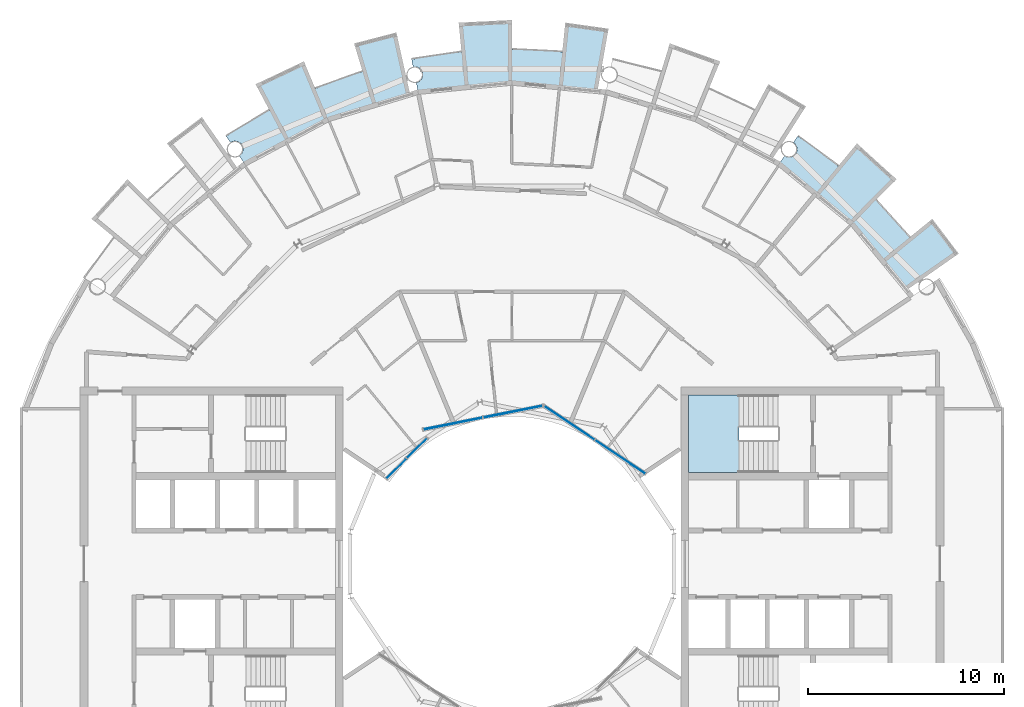
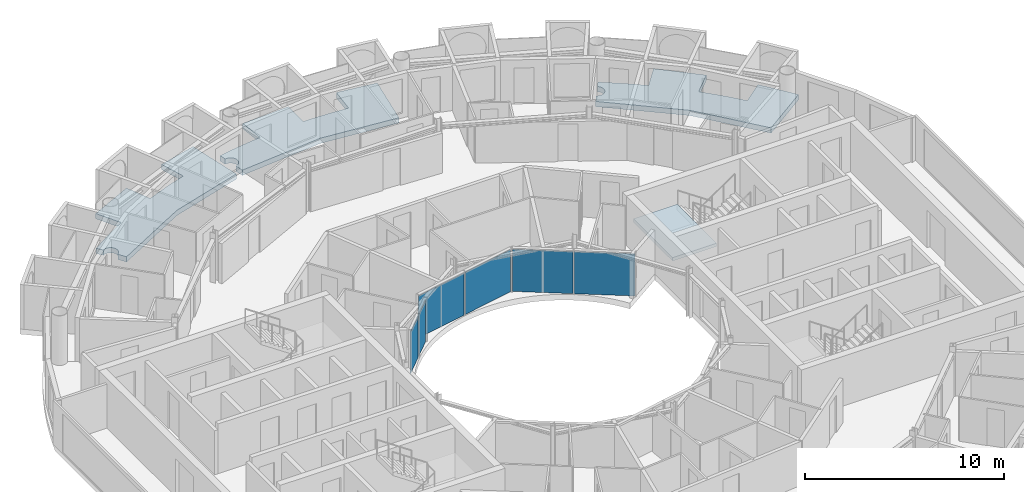
# One storey, part 12 of 27: 6 plates, 4 slabs, 4 elements without a shape of their own.
"""IFC4 building model written with IfcOpenShell, lengths in metres."""

from ifc_helpers import new_model, si_unit, direction, frame, origin, origin_2d, place, context, subcontext, project, spatial, polyline, rectangle, outline, extrude, material, layer, layer_set, type_object, element, aggregate, save


model = new_model("IFC4")

# Units and contexts
model_context = context("Model", 3, precision=1e-05, world=origin(), true_north=direction((0.0, 1.0)))
body_context = subcontext(model_context, "Body", "Model", "MODEL_VIEW")
ifc_project = project(units=[si_unit("LENGTHUNIT", "METRE"), si_unit("AREAUNIT", "SQUARE_METRE"), si_unit("VOLUMEUNIT", "CUBIC_METRE"), si_unit("PLANEANGLEUNIT", "RADIAN"), si_unit("MASSUNIT", "GRAM", prefix="KILO")], contexts=[model_context])

# Site, building, storey
site_placement = place(None, origin())
site = spatial("IfcSite", under=ifc_project, at=site_placement, CompositionType="ELEMENT")
building_placement = place(site_placement, origin())
building = spatial("IfcBuilding", under=site, at=building_placement, Name="Maasbend Ring Residences", CompositionType="ELEMENT")
storey_placement = place(building_placement, frame((0.0, 0.0, 240.14990234375)))
storey = spatial("IfcBuildingStorey", under=building, at=storey_placement, Name="L69", CompositionType="ELEMENT", Elevation=240.14990234375)

# Stair, slab
ifc_material_1 = material(Name="Concrete C40/50", Category="concrete")
stair_type = type_object("IfcStairType", Name="CORE STAIR 18 RISERS", PredefinedType="HALF_TURN_STAIR", material=ifc_material_1)
stair_placement = place(storey_placement, origin())
stair = element("IfcStair", 1, at=stair_placement, inside=storey, type_object=stair_type, Name="L69 Exit stair ST-E1", PredefinedType="HALF_TURN_STAIR")
ifc_material_2 = material(Name="Concrete C40/50", Category="concrete")
ifc_layer_1 = layer(ifc_material_2, 0.199951171875)
ifc_layer_set_1 = layer_set([ifc_layer_1], Name="Concrete C40/50")
slab_type_1 = type_object("IfcSlabType", Name="CORE STAIR LANDING 200", PredefinedType="LANDING", material=ifc_layer_set_1)
slab_1_placement = place(storey_placement, frame((0.0, 0.0, 1.3251953125)))
slab_1 = element("IfcSlab", 2, at=slab_1_placement, type_object=slab_type_1, Name="ST-E1 landing 1", PredefinedType="LANDING", context=body_context, shape_type="SweptSolid", body=[
    extrude(outline(polyline([(11.550048828125, 8.60009765625), (9.0, 8.60009765625), (9.0, 4.64990234375), (11.550048828125, 4.64990234375), (11.550048828125, 8.60009765625)])), origin(), (0.0, 0.0, 1.0), 0.199951171875),
])
aggregate(stair, [slab_1])

# Curtain wall, plates
ifc_material_3 = material(Name="Aluminium and clear glass", Category="aluminium")
ifc_layer_2 = layer(ifc_material_3, 0.179931640625)
ifc_layer_set_2 = layer_set([ifc_layer_2], Name="CW-W")
curtain_wall_type = type_object("IfcCurtainWallType", Name="CW-W", PredefinedType="NOTDEFINED", material=ifc_layer_set_2)
curtain_wall_1_placement = place(storey_placement, origin())
curtain_wall_1 = element("IfcCurtainWall", 3, at=curtain_wall_1_placement, inside=storey, type_object=curtain_wall_type, Name="Well curtain wall N1", PredefinedType="NOTDEFINED")
ifc_material_4 = material(Name="Glass clear laminated", Category="glass")
ifc_layer_3 = layer(ifc_material_4, 0.031982421875)
ifc_layer_set_3 = layer_set([ifc_layer_3], Name="CWP-W")
plate_type = type_object("IfcPlateType", Name="CWP-W", PredefinedType="CURTAIN_PANEL", material=ifc_layer_set_3)
plate_1_placement = place(storey_placement, frame((5.51123046875, 5.44580078125, 0.0), z_axis=(0.0, 0.0, 1.0), x_axis=(-0.831469612303, 0.55557023302, 0.0)))
plate_1 = element("IfcPlate", 4, at=plate_1_placement, type_object=plate_type, Name="Glass panel well face", PredefinedType="CURTAIN_PANEL", context=body_context, shape_type="SweptSolid", body=[
    extrude(rectangle(XDim=3.053955078125, YDim=0.031982421875, at=origin_2d()), origin(), (0.0, 0.0, 1.0), 2.580078125),
])
plate_2_placement = place(storey_placement, frame((2.922119140625, 7.17578125, 0.0), z_axis=(0.0, 0.0, 1.0), x_axis=(-0.831469612303, 0.55557023302, 0.0)))
plate_2 = element("IfcPlate", 5, at=plate_2_placement, type_object=plate_type, Name="Glass panel well face", PredefinedType="CURTAIN_PANEL", context=body_context, shape_type="SweptSolid", body=[
    extrude(rectangle(XDim=3.053955078125, YDim=0.031982421875, at=origin_2d()), origin(), (0.0, 0.0, 1.0), 2.580078125),
])
aggregate(curtain_wall_1, [plate_1, plate_2])

curtain_wall_2_placement = place(storey_placement, origin())
curtain_wall_2 = element("IfcCurtainWall", 6, at=curtain_wall_2_placement, inside=storey, type_object=curtain_wall_type, Name="Well curtain wall N2", PredefinedType="NOTDEFINED")
plate_3_placement = place(storey_placement, frame((0.04638671875, 7.747802734375, 0.0), z_axis=(0.0, 0.0, 1.0), x_axis=(-0.980785280403, -0.195090322016, 0.0)))
plate_3 = element("IfcPlate", 7, at=plate_3_placement, type_object=plate_type, Name="Glass panel well face", PredefinedType="CURTAIN_PANEL", context=body_context, shape_type="SweptSolid", body=[
    extrude(rectangle(XDim=3.053955078125, YDim=0.031982421875, at=origin_2d()), origin(), (0.0, 0.0, 1.0), 2.580078125),
])
plate_4_placement = place(storey_placement, frame((-3.0078125, 7.140380859375, 0.0), z_axis=(0.0, 0.0, 1.0), x_axis=(-0.980785280403, -0.195090322016, 0.0)))
plate_4 = element("IfcPlate", 8, at=plate_4_placement, type_object=plate_type, Name="Glass panel well face", PredefinedType="CURTAIN_PANEL", context=body_context, shape_type="SweptSolid", body=[
    extrude(rectangle(XDim=3.053955078125, YDim=0.031982421875, at=origin_2d()), origin(), (0.0, 0.0, 1.0), 2.580078125),
])
aggregate(curtain_wall_2, [plate_3, plate_4])

curtain_wall_3_placement = place(storey_placement, origin())
curtain_wall_3 = element("IfcCurtainWall", 9, at=curtain_wall_3_placement, inside=storey, type_object=curtain_wall_type, Name="Well curtain wall N3", PredefinedType="NOTDEFINED")
plate_5_placement = place(storey_placement, frame((-4.84375, 5.89013671875, 0.0), z_axis=(0.0, 0.0, 1.0), x_axis=(-0.707106781187, -0.707106781187, 0.0)))
plate_5 = element("IfcPlate", 10, at=plate_5_placement, type_object=plate_type, Name="Glass panel well face", PredefinedType="CURTAIN_PANEL", context=body_context, shape_type="SweptSolid", body=[
    extrude(rectangle(XDim=1.419677734375, YDim=0.031982421875, at=origin_2d()), origin(), (0.0, 0.0, 1.0), 2.580078125),
])
plate_6_placement = place(storey_placement, frame((-5.89013671875, 4.84375, 0.0), z_axis=(0.0, 0.0, 1.0), x_axis=(-0.707106781187, -0.707106781187, 0.0)))
plate_6 = element("IfcPlate", 11, at=plate_6_placement, type_object=plate_type, Name="Glass panel well face", PredefinedType="CURTAIN_PANEL", context=body_context, shape_type="SweptSolid", body=[
    extrude(rectangle(XDim=1.419677734375, YDim=0.031982421875, at=origin_2d()), origin(), (0.0, 0.0, 1.0), 2.580078125),
])
aggregate(curtain_wall_3, [plate_5, plate_6])

# Slabs
ifc_material_5 = material(Name="Concrete C40/50", Category="concrete")
ifc_layer_4 = layer(ifc_material_5, 0.199951171875)
ifc_layer_set_4 = layer_set([ifc_layer_4], Name="Concrete C40/50")
slab_type_2 = type_object("IfcSlabType", Name="SL-LOGGIA", PredefinedType="FLOOR", material=ifc_layer_set_4)
slab_2_placement = place(storey_placement, frame((0.0, 0.0, -0.349853515625)))
element("IfcSlab", 12, at=slab_2_placement, inside=storey, type_object=slab_type_2, Name="Loggia floor 1", PredefinedType="FLOOR", context=body_context, shape_type="SweptSolid", body=[
    extrude(outline(polyline([(-13.10009765625, 22.68994140625), (-12.35107421875, 23.10595703125), (-12.35107421875, 23.10595703125), (-12.35107421875, 23.10595703125), (-12.35107421875, 23.10595703125), (-12.35107421875, 23.10595703125), (-12.35107421875, 23.10595703125), (-12.35107421875, 23.10595703125), (-12.35107421875, 23.10595703125), (-12.35107421875, 23.10595703125), (-12.35107421875, 23.10595703125), (-12.35107421875, 23.10595703125), (-12.35107421875, 23.10693359375), (-12.35107421875, 23.10693359375), (-12.35107421875, 23.10693359375), (-12.35107421875, 23.10693359375), (-12.35107421875, 23.10693359375), (-12.35107421875, 23.10693359375), (-13.05810546875, 24.428955078125), (-13.05810546875, 24.428955078125), (-13.05810546875, 24.428955078125), (-10.60009765625, 25.591064453125), (-10.60009765625, 25.591064453125), (-10.60009765625, 25.591064453125), (-10.02587890625, 24.2060546875), (-10.02587890625, 24.2060546875), (-10.02587890625, 24.2060546875), (-10.02587890625, 24.2060546875), (-10.02587890625, 24.2060546875), (-10.02587890625, 24.2060546875), (-10.02587890625, 24.2060546875), (-10.02587890625, 24.2060546875), (-10.02587890625, 24.2060546875), (-10.02587890625, 24.2060546875), (-10.02587890625, 24.2060546875), (-10.02587890625, 24.2060546875), (-10.02587890625, 24.2060546875), (-10.02587890625, 24.2060546875), (-10.02587890625, 24.2060546875), (-10.02587890625, 24.2060546875), (-10.02587890625, 24.2060546875), (-9.22900390625, 24.52099609375), (-9.22900390625, 24.52099609375), (-8.422119140625, 24.81005859375), (-8.422119140625, 24.81005859375), (-7.60595703125, 25.072021484375), (-7.60595703125, 25.072021484375), (-7.60595703125, 25.072021484375), (-7.60595703125, 25.072021484375), (-7.60595703125, 25.072021484375), (-7.60595703125, 25.072021484375), (-7.60595703125, 25.072021484375), (-7.60595703125, 25.072021484375), (-7.60595703125, 25.072021484375), (-7.60595703125, 25.072021484375), (-7.60595703125, 25.072021484375), (-7.60595703125, 25.072021484375), (-7.60595703125, 25.072021484375), (-7.60595703125, 25.072021484375), (-7.60595703125, 25.072021484375), (-7.60595703125, 25.072021484375), (-7.60595703125, 25.072021484375), (-8.041015625, 26.507080078125), (-8.041015625, 26.507080078125), (-8.041015625, 26.507080078125), (-5.89111328125, 27.06591796875), (-5.89111328125, 27.06591796875), (-5.89111328125, 27.06591796875), (-5.201904296875, 23.90087890625), (-5.201904296875, 23.90087890625), (-5.201904296875, 23.90087890625), (-7.077880859375, 23.33203125), (-9.3759765625, 22.635009765625), (-9.3759765625, 22.635009765625), (-9.3759765625, 22.635009765625), (-11.493896484375, 21.5029296875), (-13.611083984375, 20.37109375), (-13.611083984375, 20.37109375), (-13.611083984375, 20.37109375), (-13.885986328125, 20.781005859375), (-13.876953125, 20.787109375), (-13.868896484375, 20.79296875), (-13.861083984375, 20.799072265625), (-13.85400390625, 20.804931640625), (-13.845947265625, 20.81103515625), (-13.839111328125, 20.818115234375), (-13.8310546875, 20.824951171875), (-13.823974609375, 20.83203125), (-13.81689453125, 20.839111328125), (-13.81005859375, 20.845947265625), (-13.803955078125, 20.85400390625), (-13.797119140625, 20.861083984375), (-13.791015625, 20.868896484375), (-13.784912109375, 20.876953125), (-13.779052734375, 20.885009765625), (-13.77392578125, 20.89306640625), (-13.76806640625, 20.902099609375), (-13.762939453125, 20.909912109375), (-13.758056640625, 20.9189453125), (-13.7529296875, 20.927978515625), (-13.748046875, 20.93701171875), (-13.743896484375, 20.945068359375), (-13.739990234375, 20.955078125), (-13.736083984375, 20.964111328125), (-13.73193359375, 20.972900390625), (-13.72900390625, 20.98193359375), (-13.72607421875, 20.991943359375), (-13.722900390625, 21.0009765625), (-13.719970703125, 21.010986328125), (-13.717041015625, 21.02099609375), (-13.715087890625, 21.030029296875), (-13.712890625, 21.0400390625), (-13.7109375, 21.050048828125), (-13.708984375, 21.06005859375), (-13.7080078125, 21.070068359375), (-13.70703125, 21.0791015625), (-13.7060546875, 21.089111328125), (-13.705078125, 21.09912109375), (-13.705078125, 21.10888671875), (-13.705078125, 21.118896484375), (-13.705078125, 21.12890625), (-13.705078125, 21.138916015625), (-13.7060546875, 21.14892578125), (-13.70703125, 21.158935546875), (-13.7080078125, 21.1689453125), (-13.708984375, 21.178955078125), (-13.7109375, 21.18896484375), (-13.712890625, 21.198974609375), (-13.715087890625, 21.2080078125), (-13.717041015625, 21.218017578125), (-13.719970703125, 21.22802734375), (-13.722900390625, 21.237060546875), (-13.72607421875, 21.2470703125), (-13.72900390625, 21.256103515625), (-13.73193359375, 21.26611328125), (-13.736083984375, 21.27490234375), (-13.739990234375, 21.283935546875), (-13.743896484375, 21.29296875), (-13.748046875, 21.302001953125), (-13.7529296875, 21.31103515625), (-13.758056640625, 21.320068359375), (-13.762939453125, 21.327880859375), (-13.76806640625, 21.3369140625), (-13.77392578125, 21.344970703125), (-13.779052734375, 21.35302734375), (-13.784912109375, 21.361083984375), (-13.791015625, 21.368896484375), (-13.797119140625, 21.376953125), (-13.803955078125, 21.385009765625), (-13.81005859375, 21.39208984375), (-13.81689453125, 21.39990234375), (-13.823974609375, 21.406982421875), (-13.8310546875, 21.4140625), (-13.839111328125, 21.419921875), (-13.845947265625, 21.427001953125), (-13.85400390625, 21.43408203125), (-13.861083984375, 21.43994140625), (-13.868896484375, 21.446044921875), (-13.876953125, 21.451904296875), (-13.885986328125, 21.45703125), (-13.89404296875, 21.462890625), (-13.903076171875, 21.468017578125), (-13.910888671875, 21.472900390625), (-13.919921875, 21.47802734375), (-13.928955078125, 21.48193359375), (-13.93798828125, 21.487060546875), (-13.947021484375, 21.490966796875), (-13.9560546875, 21.4951171875), (-13.965087890625, 21.4990234375), (-13.97509765625, 21.501953125), (-13.98388671875, 21.5048828125), (-13.992919921875, 21.508056640625), (-14.0029296875, 21.510986328125), (-14.012939453125, 21.513916015625), (-14.02197265625, 21.51611328125), (-14.031982421875, 21.51806640625), (-14.0419921875, 21.52001953125), (-14.052001953125, 21.52099609375), (-14.06201171875, 21.52294921875), (-14.072021484375, 21.52392578125), (-14.08203125, 21.52490234375), (-14.092041015625, 21.52490234375), (-14.10205078125, 21.52587890625), (-14.111083984375, 21.52587890625), (-14.12109375, 21.52587890625), (-14.131103515625, 21.52490234375), (-14.14111328125, 21.52490234375), (-14.15087890625, 21.52392578125), (-14.160888671875, 21.52294921875), (-14.1708984375, 21.52099609375), (-14.180908203125, 21.52001953125), (-14.19091796875, 21.51806640625), (-14.200927734375, 21.51611328125), (-14.2099609375, 21.513916015625), (-14.219970703125, 21.510986328125), (-14.22998046875, 21.508056640625), (-14.239013671875, 21.5048828125), (-14.248046875, 21.501953125), (-14.258056640625, 21.4990234375), (-14.26708984375, 21.4951171875), (-14.27587890625, 21.490966796875), (-14.284912109375, 21.487060546875), (-14.2939453125, 21.48193359375), (-14.302978515625, 21.47802734375), (-14.31201171875, 21.472900390625), (-14.320068359375, 21.468017578125), (-14.3291015625, 21.462890625), (-14.3369140625, 21.45703125), (-14.555908203125, 21.783935546875), (-14.555908203125, 21.784912109375), (-14.555908203125, 21.784912109375), (-13.8349609375, 22.2490234375), (-13.8349609375, 22.2490234375), (-13.10009765625, 22.68994140625), (-13.10009765625, 22.68994140625)])), origin(), (0.0, 0.0, 1.0), 0.320068359375),
])
slab_3_placement = place(storey_placement, frame((0.0, 0.0, -0.349853515625)))
element("IfcSlab", 13, at=slab_3_placement, inside=storey, type_object=slab_type_2, Name="Loggia floor 2", PredefinedType="FLOOR", context=body_context, shape_type="SweptSolid", body=[
    extrude(outline(polyline([(-3.419921875, 25.97607421875), (-2.569091796875, 26.073974609375), (-2.568115234375, 26.073974609375), (-2.568115234375, 26.073974609375), (-2.568115234375, 26.073974609375), (-2.568115234375, 26.073974609375), (-2.568115234375, 26.073974609375), (-2.568115234375, 26.073974609375), (-2.568115234375, 26.073974609375), (-2.568115234375, 26.073974609375), (-2.568115234375, 26.073974609375), (-2.568115234375, 26.073974609375), (-2.568115234375, 26.073974609375), (-2.568115234375, 26.073974609375), (-2.568115234375, 26.073974609375), (-2.568115234375, 26.073974609375), (-2.568115234375, 26.073974609375), (-2.568115234375, 26.073974609375), (-2.715087890625, 27.56689453125), (-2.715087890625, 27.56689453125), (-2.715087890625, 27.56689453125), (0.0, 27.699951171875), (0.0, 27.699951171875), (0.0, 27.699951171875), (0.0, 26.199951171875), (0.0, 26.199951171875), (0.0, 26.199951171875), (0.0, 26.199951171875), (0.0, 26.199951171875), (0.0, 26.199951171875), (0.0, 26.199951171875), (0.0, 26.199951171875), (0.0, 26.199951171875), (0.0, 26.199951171875), (0.0, 26.199951171875), (0.0, 26.199951171875), (0.0, 26.199951171875), (0.0, 26.199951171875), (0.0, 26.199951171875), (0.0, 26.199951171875), (0.0, 26.199951171875), (0.85693359375, 26.18603515625), (0.85693359375, 26.18603515625), (1.714111328125, 26.14404296875), (1.714111328125, 26.14404296875), (2.568115234375, 26.073974609375), (2.568115234375, 26.073974609375), (2.568115234375, 26.073974609375), (2.568115234375, 26.073974609375), (2.568115234375, 26.073974609375), (2.568115234375, 26.073974609375), (2.568115234375, 26.073974609375), (2.568115234375, 26.073974609375), (2.568115234375, 26.073974609375), (2.568115234375, 26.073974609375), (2.568115234375, 26.073974609375), (2.568115234375, 26.073974609375), (2.568115234375, 26.073974609375), (2.568115234375, 26.073974609375), (2.568115234375, 26.073974609375), (2.568115234375, 26.073974609375), (2.568115234375, 26.073974609375), (2.715087890625, 27.56689453125), (2.715087890625, 27.56689453125), (2.715087890625, 27.56689453125), (4.9150390625, 27.260009765625), (4.9150390625, 27.260009765625), (4.9150390625, 27.260009765625), (4.340087890625, 24.072998046875), (4.340087890625, 24.072998046875), (4.340087890625, 24.072998046875), (2.389892578125, 24.264892578125), (0.0, 24.5), (0.0, 24.5), (0.0, 24.5), (-2.389892578125, 24.264892578125), (-4.780029296875, 24.029052734375), (-4.780029296875, 24.029052734375), (-4.780029296875, 24.029052734375), (-4.8759765625, 24.512939453125), (-4.865966796875, 24.514892578125), (-4.85693359375, 24.51806640625), (-4.846923828125, 24.52001953125), (-4.8369140625, 24.52294921875), (-4.827880859375, 24.52587890625), (-4.818115234375, 24.529052734375), (-4.80908203125, 24.532958984375), (-4.800048828125, 24.535888671875), (-4.791015625, 24.5400390625), (-4.781005859375, 24.5439453125), (-4.77294921875, 24.549072265625), (-4.763916015625, 24.552978515625), (-4.7548828125, 24.55810546875), (-4.74609375, 24.56298828125), (-4.738037109375, 24.568115234375), (-4.72900390625, 24.573974609375), (-4.720947265625, 24.580078125), (-4.712890625, 24.5849609375), (-4.705078125, 24.591064453125), (-4.697021484375, 24.597900390625), (-4.68994140625, 24.60400390625), (-4.681884765625, 24.611083984375), (-4.675048828125, 24.616943359375), (-4.66796875, 24.6240234375), (-4.660888671875, 24.632080078125), (-4.654052734375, 24.638916015625), (-4.64697265625, 24.64599609375), (-4.64111328125, 24.654052734375), (-4.635009765625, 24.662109375), (-4.62890625, 24.669921875), (-4.623046875, 24.677978515625), (-4.616943359375, 24.68603515625), (-4.612060546875, 24.694091796875), (-4.60693359375, 24.702880859375), (-4.60205078125, 24.7119140625), (-4.596923828125, 24.719970703125), (-4.592041015625, 24.72900390625), (-4.587890625, 24.738037109375), (-4.583984375, 24.7470703125), (-4.580078125, 24.756103515625), (-4.575927734375, 24.76611328125), (-4.572998046875, 24.77490234375), (-4.569091796875, 24.783935546875), (-4.56591796875, 24.7939453125), (-4.56396484375, 24.802978515625), (-4.56103515625, 24.81298828125), (-4.55908203125, 24.822998046875), (-4.556884765625, 24.8330078125), (-4.554931640625, 24.842041015625), (-4.552978515625, 24.85205078125), (-4.552001953125, 24.862060546875), (-4.551025390625, 24.8720703125), (-4.550048828125, 24.882080078125), (-4.549072265625, 24.89208984375), (-4.549072265625, 24.902099609375), (-4.549072265625, 24.912109375), (-4.549072265625, 24.922119140625), (-4.549072265625, 24.931884765625), (-4.550048828125, 24.94189453125), (-4.551025390625, 24.951904296875), (-4.552001953125, 24.9619140625), (-4.552978515625, 24.971923828125), (-4.554931640625, 24.98095703125), (-4.556884765625, 24.990966796875), (-4.55908203125, 25.0009765625), (-4.56103515625, 25.010986328125), (-4.56396484375, 25.02001953125), (-4.56591796875, 25.030029296875), (-4.569091796875, 25.0390625), (-4.572998046875, 25.049072265625), (-4.575927734375, 25.05810546875), (-4.580078125, 25.06689453125), (-4.583984375, 25.076904296875), (-4.587890625, 25.0859375), (-4.592041015625, 25.094970703125), (-4.596923828125, 25.10400390625), (-4.60205078125, 25.112060546875), (-4.60693359375, 25.12109375), (-4.612060546875, 25.12890625), (-4.616943359375, 25.137939453125), (-4.623046875, 25.14599609375), (-4.62890625, 25.154052734375), (-4.635009765625, 25.162109375), (-4.64111328125, 25.169921875), (-4.64697265625, 25.177001953125), (-4.654052734375, 25.18505859375), (-4.660888671875, 25.19189453125), (-4.66796875, 25.198974609375), (-4.675048828125, 25.2060546875), (-4.681884765625, 25.212890625), (-4.68994140625, 25.219970703125), (-4.697021484375, 25.22607421875), (-4.705078125, 25.23193359375), (-4.712890625, 25.238037109375), (-4.720947265625, 25.243896484375), (-4.72900390625, 25.25), (-4.738037109375, 25.2548828125), (-4.74609375, 25.260986328125), (-4.7548828125, 25.26611328125), (-4.763916015625, 25.27001953125), (-4.77294921875, 25.27490234375), (-4.781005859375, 25.279052734375), (-4.791015625, 25.283935546875), (-4.800048828125, 25.287109375), (-4.80908203125, 25.291015625), (-4.818115234375, 25.294921875), (-4.827880859375, 25.298095703125), (-4.8369140625, 25.301025390625), (-4.846923828125, 25.303955078125), (-4.85693359375, 25.305908203125), (-4.865966796875, 25.30908203125), (-4.8759765625, 25.31103515625), (-4.885986328125, 25.31201171875), (-4.89599609375, 25.31396484375), (-4.906005859375, 25.31494140625), (-4.9150390625, 25.31591796875), (-4.925048828125, 25.31689453125), (-4.93505859375, 25.318115234375), (-4.945068359375, 25.318115234375), (-4.955078125, 25.318115234375), (-4.965087890625, 25.318115234375), (-4.97509765625, 25.318115234375), (-4.985107421875, 25.31689453125), (-4.9951171875, 25.31591796875), (-5.0048828125, 25.31494140625), (-5.014892578125, 25.31396484375), (-5.02490234375, 25.31201171875), (-5.034912109375, 25.31103515625), (-5.111083984375, 25.697021484375), (-5.111083984375, 25.697021484375), (-5.111083984375, 25.697021484375), (-4.26806640625, 25.85009765625), (-4.26806640625, 25.85009765625), (-3.419921875, 25.97607421875), (-3.419921875, 25.97607421875)])), origin(), (0.0, 0.0, 1.0), 0.320068359375),
])
slab_4_placement = place(storey_placement, frame((0.0, 0.0, -0.349853515625)))
element("IfcSlab", 14, at=slab_4_placement, inside=storey, type_object=slab_type_2, Name="Loggia floor 4", PredefinedType="FLOOR", context=body_context, shape_type="SweptSolid", body=[
    extrude(outline(polyline([(13.885986328125, 20.781005859375), (13.89404296875, 20.77587890625), (13.903076171875, 20.77099609375), (13.910888671875, 20.76611328125), (13.919921875, 20.760986328125), (13.928955078125, 20.756103515625), (13.93798828125, 20.751953125), (13.947021484375, 20.748046875), (13.9560546875, 20.743896484375), (13.965087890625, 20.739990234375), (13.97509765625, 20.737060546875), (13.98388671875, 20.73291015625), (13.992919921875, 20.72998046875), (14.0029296875, 20.72802734375), (14.012939453125, 20.72509765625), (14.02197265625, 20.722900390625), (14.031982421875, 20.720947265625), (14.0419921875, 20.718994140625), (14.052001953125, 20.717041015625), (14.06201171875, 20.716064453125), (14.072021484375, 20.715087890625), (14.08203125, 20.714111328125), (14.092041015625, 20.712890625), (14.10205078125, 20.712890625), (14.111083984375, 20.712890625), (14.12109375, 20.712890625), (14.131103515625, 20.712890625), (14.14111328125, 20.714111328125), (14.15087890625, 20.715087890625), (14.160888671875, 20.716064453125), (14.1708984375, 20.717041015625), (14.180908203125, 20.718994140625), (14.19091796875, 20.720947265625), (14.200927734375, 20.722900390625), (14.2099609375, 20.72509765625), (14.219970703125, 20.72802734375), (14.22998046875, 20.72998046875), (14.239013671875, 20.73291015625), (14.248046875, 20.737060546875), (14.258056640625, 20.739990234375), (14.26708984375, 20.743896484375), (14.27587890625, 20.748046875), (14.284912109375, 20.751953125), (14.2939453125, 20.756103515625), (14.302978515625, 20.760986328125), (14.31201171875, 20.76611328125), (14.320068359375, 20.77099609375), (14.3291015625, 20.77587890625), (14.3369140625, 20.781005859375), (14.345947265625, 20.787109375), (14.35400390625, 20.79296875), (14.362060546875, 20.799072265625), (14.368896484375, 20.804931640625), (14.376953125, 20.81103515625), (14.384033203125, 20.818115234375), (14.39208984375, 20.824951171875), (14.39892578125, 20.83203125), (14.406005859375, 20.839111328125), (14.4130859375, 20.845947265625), (14.4189453125, 20.85400390625), (14.426025390625, 20.861083984375), (14.431884765625, 20.868896484375), (14.43798828125, 20.876953125), (14.444091796875, 20.885009765625), (14.448974609375, 20.89306640625), (14.455078125, 20.902099609375), (14.4599609375, 20.909912109375), (14.465087890625, 20.9189453125), (14.469970703125, 20.927978515625), (14.47509765625, 20.93701171875), (14.47900390625, 20.945068359375), (14.48291015625, 20.955078125), (14.487060546875, 20.964111328125), (14.490966796875, 20.972900390625), (14.493896484375, 20.98193359375), (14.4970703125, 20.991943359375), (14.5, 21.0009765625), (14.5029296875, 21.010986328125), (14.506103515625, 21.02099609375), (14.508056640625, 21.030029296875), (14.510009765625, 21.0400390625), (14.511962890625, 21.050048828125), (14.513916015625, 21.06005859375), (14.514892578125, 21.070068359375), (14.51611328125, 21.0791015625), (14.51708984375, 21.089111328125), (14.51806640625, 21.09912109375), (14.51806640625, 21.10888671875), (14.51806640625, 21.118896484375), (14.51806640625, 21.12890625), (14.51806640625, 21.138916015625), (14.51708984375, 21.14892578125), (14.51611328125, 21.158935546875), (14.514892578125, 21.1689453125), (14.513916015625, 21.178955078125), (14.511962890625, 21.18896484375), (14.510009765625, 21.198974609375), (14.508056640625, 21.2080078125), (14.506103515625, 21.218017578125), (14.5029296875, 21.22802734375), (14.5, 21.237060546875), (14.4970703125, 21.2470703125), (14.493896484375, 21.256103515625), (14.490966796875, 21.26611328125), (14.487060546875, 21.27490234375), (14.48291015625, 21.283935546875), (14.47900390625, 21.29296875), (14.47509765625, 21.302001953125), (14.469970703125, 21.31103515625), (14.465087890625, 21.320068359375), (14.4599609375, 21.327880859375), (14.455078125, 21.3369140625), (14.448974609375, 21.344970703125), (14.444091796875, 21.35302734375), (14.43798828125, 21.361083984375), (14.431884765625, 21.368896484375), (14.426025390625, 21.376953125), (14.4189453125, 21.385009765625), (14.4130859375, 21.39208984375), (14.406005859375, 21.39990234375), (14.39892578125, 21.406982421875), (14.39208984375, 21.4140625), (14.384033203125, 21.419921875), (14.376953125, 21.427001953125), (14.368896484375, 21.43408203125), (14.362060546875, 21.43994140625), (14.35400390625, 21.446044921875), (14.345947265625, 21.451904296875), (14.3369140625, 21.45703125), (14.555908203125, 21.783935546875), (15.260986328125, 21.297119140625), (15.949951171875, 20.785888671875), (16.62109375, 20.2529296875), (16.62109375, 20.2529296875), (16.62109375, 20.2529296875), (16.62109375, 20.2529296875), (16.62109375, 20.2529296875), (16.62109375, 20.2529296875), (16.62109375, 20.2529296875), (16.62109375, 20.2529296875), (16.62109375, 20.2529296875), (16.62109375, 20.2529296875), (16.62109375, 20.2529296875), (16.62109375, 20.2529296875), (16.62109375, 20.2529296875), (16.62109375, 20.2529296875), (16.62109375, 20.2529296875), (16.62109375, 20.2529296875), (16.62109375, 20.2529296875), (17.572998046875, 21.412109375), (19.5869140625, 19.5869140625), (18.527099609375, 18.527099609375), (18.527099609375, 18.527099609375), (18.52587890625, 18.52587890625), (18.52587890625, 18.52587890625), (18.52587890625, 18.52587890625), (18.52587890625, 18.52587890625), (18.52587890625, 18.52587890625), (18.52587890625, 18.52587890625), (18.52587890625, 18.52587890625), (18.52587890625, 18.52587890625), (18.52587890625, 18.52587890625), (18.52587890625, 18.52587890625), (18.52587890625, 18.52587890625), (18.52587890625, 18.52587890625), (18.52587890625, 18.52587890625), (18.527099609375, 18.52587890625), (18.527099609375, 18.52587890625), (19.1220703125, 17.909912109375), (19.697998046875, 17.27490234375), (20.2529296875, 16.62109375), (20.2529296875, 16.62109375), (20.2529296875, 16.62109375), (20.2529296875, 16.62109375), (20.2529296875, 16.62109375), (20.2529296875, 16.62109375), (20.2529296875, 16.62109375), (20.2529296875, 16.62109375), (20.2529296875, 16.62109375), (20.2529296875, 16.62109375), (20.2529296875, 16.62109375), (20.2529296875, 16.62109375), (20.2529296875, 16.62109375), (20.2529296875, 16.62109375), (20.2529296875, 16.62109375), (20.2529296875, 16.62109375), (20.2529296875, 16.62109375), (21.412109375, 17.572998046875), (22.751953125, 15.800048828125), (20.091064453125, 13.952880859375), (18.847900390625, 15.468017578125), (17.323974609375, 17.323974609375), (17.323974609375, 17.323974609375), (17.323974609375, 17.323974609375), (15.468017578125, 18.847900390625), (13.611083984375, 20.37109375), (13.885986328125, 20.781005859375)])), origin(), (0.0, 0.0, 1.0), 0.320068359375),
])

save(model, "model.ifc")
